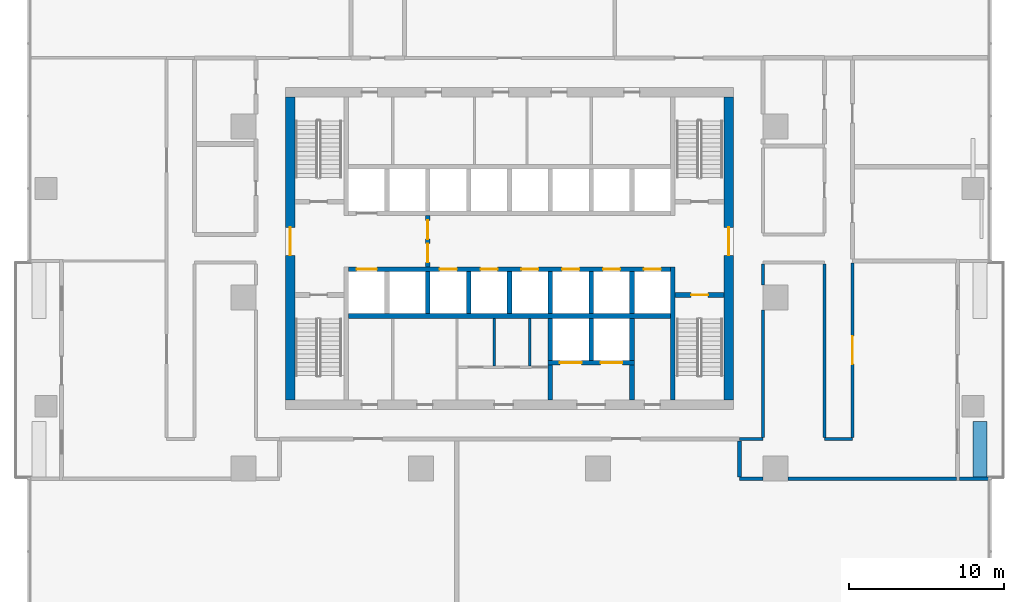
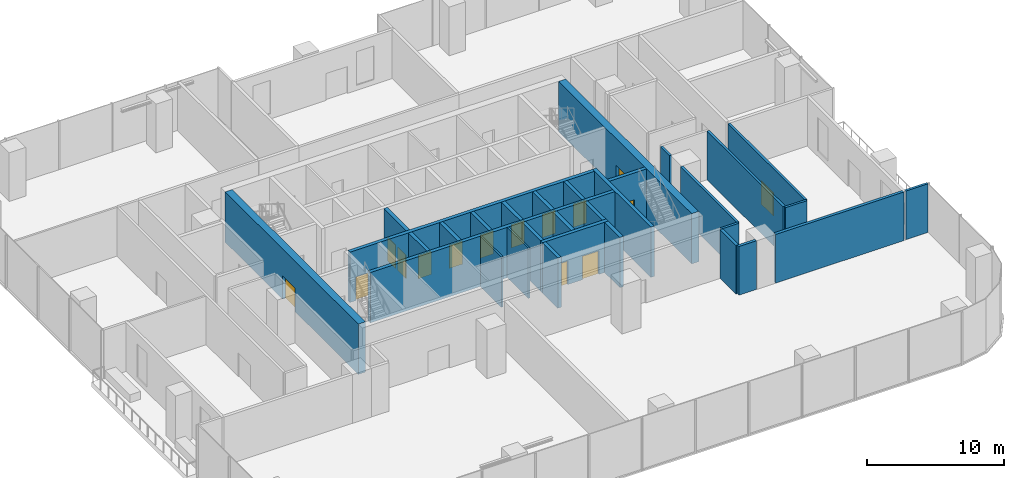
# One storey, part 8 of 14: 32 walls, 15 doors, 15 openings.
"""IFC4 building model written with IfcOpenShell, lengths in metres."""

from ifc_helpers import new_model, si_unit, direction, frame, frame_2d, origin, place, context, subcontext, project, spatial, rectangle, extrude, material, layer, layer_set, type_object, element, fill, save


model = new_model("IFC4")

# Units and contexts
model_context = context("Model", 3, precision=1e-05, world=origin(), true_north=direction((0.0, 1.0)))
body_context = subcontext(model_context, "Body", "Model", "MODEL_VIEW")
ifc_project = project(units=[si_unit("LENGTHUNIT", "METRE"), si_unit("AREAUNIT", "SQUARE_METRE"), si_unit("VOLUMEUNIT", "CUBIC_METRE"), si_unit("PLANEANGLEUNIT", "RADIAN"), si_unit("MASSUNIT", "GRAM", prefix="KILO")], contexts=[model_context])

# Site, building, storey
site_placement = place(None, origin())
site = spatial("IfcSite", under=ifc_project, at=site_placement, CompositionType="ELEMENT")
building_placement = place(site_placement, origin())
building = spatial("IfcBuilding", under=site, at=building_placement, Name="Mopane Tessera Tower", CompositionType="ELEMENT")
storey_placement = place(building_placement, frame((0.0, 0.0, 55.0)))
storey = spatial("IfcBuildingStorey", under=building, at=storey_placement, Name="L10", CompositionType="ELEMENT", Elevation=55.0)

# Walls
ifc_material_1 = material(Name="Fire-rated gypsum board partition")
ifc_layer_1 = layer(ifc_material_1, 0.14990234375)
ifc_layer_set_1 = layer_set([ifc_layer_1], Name="Fire-rated gypsum board partition")
wall_type_1 = type_object("IfcWallType", Name="Core room partition 150 mm", PredefinedType="PARTITIONING", material=ifc_layer_set_1)
for number, where, z_axis, x_axis, name in (
    (1, (-0.97509765625, -4.425048828125, 0.0), (0.0, 0.0, 1.0), (0.0, 1.0, 0.0), "L10 WC partition"),
    (2, (1.304931640625, -4.425048828125, 0.0), (0.0, 0.0, 1.0), (0.0, 1.0, 0.0), "L10 WC partition"),
):
    element("IfcWall", number, at=place(storey_placement, frame(where, z_axis=z_axis, x_axis=x_axis)), inside=storey, type_object=wall_type_1, Name=name, PredefinedType="PARTITIONING", context=body_context, shape_type="SweptSolid", body=[
        extrude(rectangle(XDim=3.074951171875, YDim=0.14990234375, at=frame_2d((1.53759765625, 0.0))), origin(), (0.0, 0.0, 1.0), 4.5),
    ])

# Wall, opening, door
ifc_material_2 = material(Name="Concrete C70/85", Category="concrete")
ifc_layer_2 = layer(ifc_material_2, 0.60009765625)
ifc_layer_set_2 = layer_set([ifc_layer_2], Name="Concrete C70/85")
wall_type_2 = type_object("IfcWallType", Name="Core shear wall 600 mm", PredefinedType="SHEAR", material=ifc_layer_set_2)
wall_1_placement = place(storey_placement, frame((-14.10009765625, -6.60009765625, 0.0), z_axis=(0.0, 0.0, 1.0), x_axis=(0.0, 1.0, 0.0)))
wall_1 = element("IfcWall", 3, at=wall_1_placement, inside=storey, type_object=wall_type_2, Name="L10 Core wall west", PredefinedType="SHEAR", context=body_context, shape_type="SweptSolid", body=[
    extrude(rectangle(XDim=19.5, YDim=0.60009765625, at=frame_2d((9.75, 0.0))), origin(), (0.0, 0.0, 1.0), 4.5),
])
opening_1_placement = place(wall_1_placement, frame((9.300048828125, 0.0, 0.0)))
opening_1 = element("IfcOpeningElement", 4, at=opening_1_placement, cuts=wall_1, Name="Opening SD2", PredefinedType="OPENING", context=body_context, shape_type="SweptSolid", body=[
    extrude(rectangle(XDim=1.800048828125, YDim=2.10009765625, at=frame_2d((0.89990234375, 1.050048828125))), frame((0.0, 0.31201171875, 0.0), z_axis=(0.0, -1.0, 0.0), x_axis=(1.0, 0.0, 0.0)), (0.0, 0.0, 1.0), 0.6240234375),
])
ifc_material_3 = material(Name="Steel fire door", Category="steel")
door_type_1 = type_object("IfcDoorType", Name="Core entrance double door 1800 x 2100", OperationType="DOUBLE_DOOR_SINGLE_SWING", PredefinedType="DOOR", material=ifc_material_3)
door_1_placement = place(opening_1_placement, origin())
door_1 = element("IfcDoor", 5, at=door_1_placement, inside=storey, type_object=door_type_1, Name="L10 Core entrance door west", OperationType="DOUBLE_DOOR_SINGLE_SWING", OverallHeight=2.10009765625, OverallWidth=1.800048828125, PredefinedType="DOOR", context=body_context, shape_type="SweptSolid", body=[
    extrude(rectangle(XDim=1.800048828125, YDim=2.10009765625, at=frame_2d((0.89990234375, 1.050048828125))), frame((0.0, 0.02490234375, 0.0), z_axis=(0.0, -1.0, 0.0), x_axis=(1.0, 0.0, 0.0)), (0.0, 0.0, 1.0), 0.050048828125),
])
fill(opening_1, door_1)

wall_2_placement = place(storey_placement, frame((14.10009765625, -6.60009765625, 0.0), z_axis=(0.0, 0.0, 1.0), x_axis=(0.0, 1.0, 0.0)))
wall_2 = element("IfcWall", 6, at=wall_2_placement, inside=storey, type_object=wall_type_2, Name="L10 Core wall east", PredefinedType="SHEAR", context=body_context, shape_type="SweptSolid", body=[
    extrude(rectangle(XDim=19.5, YDim=0.60009765625, at=frame_2d((9.75, 0.0))), origin(), (0.0, 0.0, 1.0), 4.5),
])
opening_2_placement = place(wall_2_placement, frame((9.300048828125, 0.0, 0.0)))
opening_2 = element("IfcOpeningElement", 7, at=opening_2_placement, cuts=wall_2, Name="Opening SD2", PredefinedType="OPENING", context=body_context, shape_type="SweptSolid", body=[
    extrude(rectangle(XDim=1.800048828125, YDim=2.10009765625, at=frame_2d((0.89990234375, 1.050048828125))), frame((0.0, 0.31201171875, 0.0), z_axis=(0.0, -1.0, 0.0), x_axis=(1.0, 0.0, 0.0)), (0.0, 0.0, 1.0), 0.6240234375),
])
door_2_placement = place(opening_2_placement, origin())
door_2 = element("IfcDoor", 8, at=door_2_placement, inside=storey, type_object=door_type_1, Name="L10 Core entrance door east", OperationType="DOUBLE_DOOR_SINGLE_SWING", OverallHeight=2.10009765625, OverallWidth=1.800048828125, PredefinedType="DOOR", context=body_context, shape_type="SweptSolid", body=[
    extrude(rectangle(XDim=1.800048828125, YDim=2.10009765625, at=frame_2d((0.89990234375, 1.050048828125))), frame((0.0, 0.02490234375, 0.0), z_axis=(0.0, -1.0, 0.0), x_axis=(1.0, 0.0, 0.0)), (0.0, 0.0, 1.0), 0.050048828125),
])
fill(opening_2, door_2)

# Walls
ifc_material_4 = material(Name="Concrete C60/75", Category="concrete")
ifc_layer_3 = layer(ifc_material_4, 0.300048828125)
ifc_layer_set_3 = layer_set([ifc_layer_3], Name="Concrete C60/75")
wall_type_3 = type_object("IfcWallType", Name="Core spine wall 300 mm", PredefinedType="SHEAR", material=ifc_layer_set_3)
wall_3_placement = place(storey_placement, frame((10.5, -6.60009765625, 0.0), z_axis=(0.0, 0.0, 1.0), x_axis=(0.0, 1.0, 0.0)))
element("IfcWall", 9, at=wall_3_placement, inside=storey, type_object=wall_type_3, Name="L10 Core spine wall", PredefinedType="SHEAR", context=body_context, shape_type="SweptSolid", body=[
    extrude(rectangle(XDim=8.550048828125, YDim=0.300048828125, at=frame_2d((4.27490234375, 0.0))), origin(), (0.0, 0.0, 1.0), 4.5),
])
ifc_material_5 = material(Name="Gypsum board on steel studs, two layers each face, mineral wool infill", Category="steel")
ifc_layer_4 = layer(ifc_material_5, 0.199951171875)
ifc_layer_set_4 = layer_set([ifc_layer_4], Name="Gypsum board on steel studs, two layers each face, mineral wool infill")
wall_type_4 = type_object("IfcWallType", Name="Gypsum board corridor wall 200, rated EI 60", PredefinedType="PARTITIONING", material=ifc_layer_set_4)
wall_4_placement = place(storey_placement, frame((14.800048828125, -9.10009765625, 0.0), z_axis=(0.0, 0.0, 1.0), x_axis=(1.0, 0.0, 0.0)))
element("IfcWall", 10, at=wall_4_placement, inside=storey, type_object=wall_type_4, Name="Partition L10:006", PredefinedType="PARTITIONING", context=body_context, shape_type="SweptSolid", body=[
    extrude(rectangle(XDim=1.5, YDim=0.199951171875, at=frame_2d((0.75, 0.0))), origin(), (0.0, 0.0, 1.0), 4.35009765625),
])
wall_5_placement = place(storey_placement, frame((20.25, -9.10009765625, 0.0), z_axis=(0.0, 0.0, 1.0), x_axis=(1.0, 0.0, 0.0)))
element("IfcWall", 11, at=wall_5_placement, inside=storey, type_object=wall_type_4, Name="Partition L10:007", PredefinedType="PARTITIONING", context=body_context, shape_type="SweptSolid", body=[
    extrude(rectangle(XDim=1.800048828125, YDim=0.199951171875, at=frame_2d((0.89990234375, 0.0))), origin(), (0.0, 0.0, 1.0), 4.35009765625),
])
wall_6_placement = place(storey_placement, frame((16.300048828125, -9.0, 0.0), z_axis=(0.0, 0.0, 1.0), x_axis=(0.0, 1.0, 0.0)))
element("IfcWall", 12, at=wall_6_placement, inside=storey, type_object=wall_type_4, Name="Partition L10:041", PredefinedType="PARTITIONING", context=body_context, shape_type="SweptSolid", body=[
    extrude(rectangle(XDim=8.199951171875, YDim=0.199951171875, at=frame_2d((4.10009765625, 0.0))), origin(), (0.0, 0.0, 1.0), 4.35009765625),
])
wall_7_placement = place(storey_placement, frame((16.300048828125, 0.800048828125, 0.0), z_axis=(0.0, 0.0, 1.0), x_axis=(0.0, 1.0, 0.0)))
element("IfcWall", 13, at=wall_7_placement, inside=storey, type_object=wall_type_4, Name="Partition L10:042", PredefinedType="PARTITIONING", context=body_context, shape_type="SweptSolid", body=[
    extrude(rectangle(XDim=1.349853515625, YDim=0.199951171875, at=frame_2d((0.6748046875, 0.0))), origin(), (0.0, 0.0, 1.0), 4.35009765625),
])
wall_8_placement = place(storey_placement, frame((20.25, -9.0, 0.0), z_axis=(0.0, 0.0, 1.0), x_axis=(0.0, 1.0, 0.0)))
element("IfcWall", 14, at=wall_8_placement, inside=storey, type_object=wall_type_4, Name="Partition L10:046", PredefinedType="PARTITIONING", context=body_context, shape_type="SweptSolid", body=[
    extrude(rectangle(XDim=11.14990234375, YDim=0.199951171875, at=frame_2d((5.574951171875, 0.0))), origin(), (0.0, 0.0, 1.0), 4.35009765625),
])

# Wall, opening, door
wall_9_placement = place(storey_placement, frame((22.050048828125, -9.0, 0.0), z_axis=(0.0, 0.0, 1.0), x_axis=(0.0, 1.0, 0.0)))
wall_9 = element("IfcWall", 15, at=wall_9_placement, inside=storey, type_object=wall_type_4, Name="Partition L10:049", PredefinedType="PARTITIONING", context=body_context, shape_type="SweptSolid", body=[
    extrude(rectangle(XDim=11.2099609375, YDim=0.199951171875, at=frame_2d((5.60498046875, 0.0))), origin(), (0.0, 0.0, 1.0), 4.35009765625),
])
opening_3_placement = place(wall_9_placement, frame((4.705078125, 0.0, 0.0)))
opening_3 = element("IfcOpeningElement", 16, at=opening_3_placement, cuts=wall_9, Name="Opening L10-15", PredefinedType="OPENING", context=body_context, shape_type="SweptSolid", body=[
    extrude(rectangle(XDim=1.800048828125, YDim=2.10009765625, at=frame_2d((0.89990234375, 1.050048828125))), frame((0.0, 0.112060546875, 0.0), z_axis=(0.0, -1.0, 0.0), x_axis=(1.0, 0.0, 0.0)), (0.0, 0.0, 1.0), 0.223876953125),
])
ifc_material_6 = material(Name="Timber veneered steel-framed fire door", Category="steel")
door_type_2 = type_object("IfcDoorType", Name="Fire door pair FD60 1800 x 2100", OperationType="DOUBLE_DOOR_SINGLE_SWING", PredefinedType="DOOR", material=ifc_material_6)
door_3_placement = place(opening_3_placement, origin())
door_3 = element("IfcDoor", 17, at=door_3_placement, inside=storey, type_object=door_type_2, Name="Door L10-15", ObjectType="D20A", OperationType="DOUBLE_DOOR_SINGLE_SWING", OverallHeight=2.10009765625, OverallWidth=1.800048828125, PredefinedType="DOOR", context=body_context, shape_type="SweptSolid", body=[
    extrude(rectangle(XDim=1.800048828125, YDim=2.10009765625, at=frame_2d((0.89990234375, 1.050048828125))), frame((0.0, 0.02490234375, 0.0), z_axis=(0.0, -1.0, 0.0), x_axis=(1.0, 0.0, 0.0)), (0.0, 0.0, 1.0), 0.050048828125),
])
fill(opening_3, door_3)

ifc_material_7 = material(Name="Concrete C50/60", Category="concrete")
ifc_layer_5 = layer(ifc_material_7, 0.300048828125)
ifc_layer_set_5 = layer_set([ifc_layer_5], Name="Concrete C50/60")
wall_type_5 = type_object("IfcWallType", Name="Lift and stair shaft wall 300 mm", PredefinedType="SOLIDWALL", material=ifc_layer_set_5)
wall_10_placement = place(storey_placement, frame((10.64990234375, 0.14990234375, 0.0), z_axis=(0.0, 0.0, 1.0), x_axis=(1.0, 0.0, 0.0)))
wall_10 = element("IfcWall", 18, at=wall_10_placement, inside=storey, type_object=wall_type_5, Name="L10 Stair enclosure wall", PredefinedType="SOLIDWALL", context=body_context, shape_type="SweptSolid", body=[
    extrude(rectangle(XDim=3.150146484375, YDim=0.300048828125, at=frame_2d((1.5751953125, 0.0))), origin(), (0.0, 0.0, 1.0), 4.5),
])
opening_4_placement = place(wall_10_placement, frame((1.02490234375, 0.0, 0.0)))
opening_4 = element("IfcOpeningElement", 19, at=opening_4_placement, cuts=wall_10, Name="Opening SD1", PredefinedType="OPENING", context=body_context, shape_type="SweptSolid", body=[
    extrude(rectangle(XDim=1.10009765625, YDim=2.10009765625, at=frame_2d((0.550048828125, 1.050048828125))), frame((0.0, 0.162109375, 0.0), z_axis=(0.0, -1.0, 0.0), x_axis=(1.0, 0.0, 0.0)), (0.0, 0.0, 1.0), 0.323974609375),
])
ifc_material_8 = material(Name="Steel fire door", Category="steel")
door_type_3 = type_object("IfcDoorType", Name="Stair fire door 1100 x 2100", OperationType="SINGLE_SWING_LEFT", PredefinedType="DOOR", material=ifc_material_8)
door_4_placement = place(opening_4_placement, origin())
door_4 = element("IfcDoor", 20, at=door_4_placement, inside=storey, type_object=door_type_3, Name="L10 Stair door ST3", OperationType="SINGLE_SWING_RIGHT", OverallHeight=2.10009765625, OverallWidth=1.10009765625, PredefinedType="DOOR", context=body_context, shape_type="SweptSolid", body=[
    extrude(rectangle(XDim=1.10009765625, YDim=2.10009765625, at=frame_2d((0.550048828125, 1.050048828125))), frame((0.0, 0.02490234375, 0.0), z_axis=(0.0, -1.0, 0.0), x_axis=(1.0, 0.0, 0.0)), (0.0, 0.0, 1.0), 0.050048828125),
])
fill(opening_4, door_4)

# Wall
wall_11_placement = place(storey_placement, frame((-10.35009765625, -1.199951171875, 0.0), z_axis=(0.0, 0.0, 1.0), x_axis=(1.0, 0.0, 0.0)))
element("IfcWall", 21, at=wall_11_placement, inside=storey, type_object=wall_type_5, Name="L10 Lift shaft rear wall", PredefinedType="SOLIDWALL", context=body_context, shape_type="SweptSolid", body=[
    extrude(rectangle(XDim=20.7001953125, YDim=0.300048828125, at=frame_2d((10.35009765625, 0.0))), origin(), (0.0, 0.0, 1.0), 4.5),
])

# Wall, openings, doors
wall_12_placement = place(storey_placement, frame((-10.35009765625, 1.800048828125, 0.0), z_axis=(0.0, 0.0, 1.0), x_axis=(1.0, 0.0, 0.0)))
wall_12 = element("IfcWall", 22, at=wall_12_placement, inside=storey, type_object=wall_type_5, Name="L10 Lift shaft front wall", PredefinedType="SOLIDWALL", context=body_context, shape_type="SweptSolid", body=[
    extrude(rectangle(XDim=20.7001953125, YDim=0.300048828125, at=frame_2d((10.35009765625, 0.0))), origin(), (0.0, 0.0, 1.0), 4.5),
])
opening_5_placement = place(wall_12_placement, frame((0.512451171875, 0.0, 0.0)))
opening_5 = element("IfcOpeningElement", 23, at=opening_5_placement, cuts=wall_12, Name="Opening LD2", PredefinedType="OPENING", context=body_context, shape_type="SweptSolid", body=[
    extrude(rectangle(XDim=1.300048828125, YDim=2.10009765625, at=frame_2d((0.64990234375, 1.050048828125))), frame((0.0, 0.162109375, 0.0), z_axis=(0.0, -1.0, 0.0), x_axis=(1.0, 0.0, 0.0)), (0.0, 0.0, 1.0), 0.323974609375),
])
opening_6_placement = place(wall_12_placement, frame((5.862548828125, 0.0, 0.0)))
opening_6 = element("IfcOpeningElement", 24, at=opening_6_placement, cuts=wall_12, Name="Opening LD", PredefinedType="OPENING", context=body_context, shape_type="SweptSolid", body=[
    extrude(rectangle(XDim=1.10009765625, YDim=2.10009765625, at=frame_2d((0.550048828125, 1.050048828125))), frame((0.0, 0.162109375, 0.0), z_axis=(0.0, -1.0, 0.0), x_axis=(1.0, 0.0, 0.0)), (0.0, 0.0, 1.0), 0.323974609375),
])
opening_7_placement = place(wall_12_placement, frame((8.487548828125, 0.0, 0.0)))
opening_7 = element("IfcOpeningElement", 25, at=opening_7_placement, cuts=wall_12, Name="Opening LD", PredefinedType="OPENING", context=body_context, shape_type="SweptSolid", body=[
    extrude(rectangle(XDim=1.10009765625, YDim=2.10009765625, at=frame_2d((0.550048828125, 1.050048828125))), frame((0.0, 0.162109375, 0.0), z_axis=(0.0, -1.0, 0.0), x_axis=(1.0, 0.0, 0.0)), (0.0, 0.0, 1.0), 0.323974609375),
])
opening_8_placement = place(wall_12_placement, frame((11.112548828125, 0.0, 0.0)))
opening_8 = element("IfcOpeningElement", 26, at=opening_8_placement, cuts=wall_12, Name="Opening LD", PredefinedType="OPENING", context=body_context, shape_type="SweptSolid", body=[
    extrude(rectangle(XDim=1.10009765625, YDim=2.10009765625, at=frame_2d((0.550048828125, 1.050048828125))), frame((0.0, 0.162109375, 0.0), z_axis=(0.0, -1.0, 0.0), x_axis=(1.0, 0.0, 0.0)), (0.0, 0.0, 1.0), 0.323974609375),
])
opening_9_placement = place(wall_12_placement, frame((13.737548828125, 0.0, 0.0)))
opening_9 = element("IfcOpeningElement", 27, at=opening_9_placement, cuts=wall_12, Name="Opening LD", PredefinedType="OPENING", context=body_context, shape_type="SweptSolid", body=[
    extrude(rectangle(XDim=1.10009765625, YDim=2.10009765625, at=frame_2d((0.550048828125, 1.050048828125))), frame((0.0, 0.162109375, 0.0), z_axis=(0.0, -1.0, 0.0), x_axis=(1.0, 0.0, 0.0)), (0.0, 0.0, 1.0), 0.323974609375),
])
opening_10_placement = place(wall_12_placement, frame((16.362548828125, 0.0, 0.0)))
opening_10 = element("IfcOpeningElement", 28, at=opening_10_placement, cuts=wall_12, Name="Opening LD", PredefinedType="OPENING", context=body_context, shape_type="SweptSolid", body=[
    extrude(rectangle(XDim=1.10009765625, YDim=2.10009765625, at=frame_2d((0.550048828125, 1.050048828125))), frame((0.0, 0.162109375, 0.0), z_axis=(0.0, -1.0, 0.0), x_axis=(1.0, 0.0, 0.0)), (0.0, 0.0, 1.0), 0.323974609375),
])
opening_11_placement = place(wall_12_placement, frame((18.987548828125, 0.0, 0.0)))
opening_11 = element("IfcOpeningElement", 29, at=opening_11_placement, cuts=wall_12, Name="Opening LD", PredefinedType="OPENING", context=body_context, shape_type="SweptSolid", body=[
    extrude(rectangle(XDim=1.10009765625, YDim=2.10009765625, at=frame_2d((0.550048828125, 1.050048828125))), frame((0.0, 0.162109375, 0.0), z_axis=(0.0, -1.0, 0.0), x_axis=(1.0, 0.0, 0.0)), (0.0, 0.0, 1.0), 0.323974609375),
])
ifc_material_9 = material(Name="Stainless steel sliding door", Category="steel")
door_type_4 = type_object("IfcDoorType", Name="Fire-fighting lift landing door 1300 x 2100", OperationType="DOUBLE_DOOR_SLIDING", PredefinedType="DOOR", material=ifc_material_9)
door_5_placement = place(opening_5_placement, origin())
door_5 = element("IfcDoor", 30, at=door_5_placement, inside=storey, type_object=door_type_4, Name="L10 Lift landing door FF1", OperationType="DOUBLE_DOOR_SLIDING", OverallHeight=2.10009765625, OverallWidth=1.300048828125, PredefinedType="DOOR", context=body_context, shape_type="SweptSolid", body=[
    extrude(rectangle(XDim=1.300048828125, YDim=2.10009765625, at=frame_2d((0.64990234375, 1.050048828125))), frame((0.0, 0.02490234375, 0.0), z_axis=(0.0, -1.0, 0.0), x_axis=(1.0, 0.0, 0.0)), (0.0, 0.0, 1.0), 0.050048828125),
])
fill(opening_5, door_5)
ifc_material_10 = material(Name="Stainless steel sliding door", Category="steel")
door_type_5 = type_object("IfcDoorType", Name="Lift landing door 1100 x 2100", OperationType="DOUBLE_DOOR_SLIDING", PredefinedType="DOOR", material=ifc_material_10)
door_6_placement = place(opening_6_placement, origin())
door_6 = element("IfcDoor", 31, at=door_6_placement, inside=storey, type_object=door_type_5, Name="L10 Lift landing door LR1", OperationType="DOUBLE_DOOR_SLIDING", OverallHeight=2.10009765625, OverallWidth=1.10009765625, PredefinedType="DOOR", context=body_context, shape_type="SweptSolid", body=[
    extrude(rectangle(XDim=1.10009765625, YDim=2.10009765625, at=frame_2d((0.550048828125, 1.050048828125))), frame((0.0, 0.02490234375, 0.0), z_axis=(0.0, -1.0, 0.0), x_axis=(1.0, 0.0, 0.0)), (0.0, 0.0, 1.0), 0.050048828125),
])
fill(opening_6, door_6)
door_7_placement = place(opening_7_placement, origin())
door_7 = element("IfcDoor", 32, at=door_7_placement, inside=storey, type_object=door_type_5, Name="L10 Lift landing door LR2", OperationType="DOUBLE_DOOR_SLIDING", OverallHeight=2.10009765625, OverallWidth=1.10009765625, PredefinedType="DOOR", context=body_context, shape_type="SweptSolid", body=[
    extrude(rectangle(XDim=1.10009765625, YDim=2.10009765625, at=frame_2d((0.550048828125, 1.050048828125))), frame((0.0, 0.02490234375, 0.0), z_axis=(0.0, -1.0, 0.0), x_axis=(1.0, 0.0, 0.0)), (0.0, 0.0, 1.0), 0.050048828125),
])
fill(opening_7, door_7)
door_8_placement = place(opening_8_placement, origin())
door_8 = element("IfcDoor", 33, at=door_8_placement, inside=storey, type_object=door_type_5, Name="L10 Lift landing door LR3", OperationType="DOUBLE_DOOR_SLIDING", OverallHeight=2.10009765625, OverallWidth=1.10009765625, PredefinedType="DOOR", context=body_context, shape_type="SweptSolid", body=[
    extrude(rectangle(XDim=1.10009765625, YDim=2.10009765625, at=frame_2d((0.550048828125, 1.050048828125))), frame((0.0, 0.02490234375, 0.0), z_axis=(0.0, -1.0, 0.0), x_axis=(1.0, 0.0, 0.0)), (0.0, 0.0, 1.0), 0.050048828125),
])
fill(opening_8, door_8)
door_9_placement = place(opening_9_placement, origin())
door_9 = element("IfcDoor", 34, at=door_9_placement, inside=storey, type_object=door_type_5, Name="L10 Lift landing door LR4", OperationType="DOUBLE_DOOR_SLIDING", OverallHeight=2.10009765625, OverallWidth=1.10009765625, PredefinedType="DOOR", context=body_context, shape_type="SweptSolid", body=[
    extrude(rectangle(XDim=1.10009765625, YDim=2.10009765625, at=frame_2d((0.550048828125, 1.050048828125))), frame((0.0, 0.02490234375, 0.0), z_axis=(0.0, -1.0, 0.0), x_axis=(1.0, 0.0, 0.0)), (0.0, 0.0, 1.0), 0.050048828125),
])
fill(opening_9, door_9)
door_10_placement = place(opening_10_placement, origin())
door_10 = element("IfcDoor", 35, at=door_10_placement, inside=storey, type_object=door_type_5, Name="L10 Lift landing door LR5", OperationType="DOUBLE_DOOR_SLIDING", OverallHeight=2.10009765625, OverallWidth=1.10009765625, PredefinedType="DOOR", context=body_context, shape_type="SweptSolid", body=[
    extrude(rectangle(XDim=1.10009765625, YDim=2.10009765625, at=frame_2d((0.550048828125, 1.050048828125))), frame((0.0, 0.02490234375, 0.0), z_axis=(0.0, -1.0, 0.0), x_axis=(1.0, 0.0, 0.0)), (0.0, 0.0, 1.0), 0.050048828125),
])
fill(opening_10, door_10)
door_11_placement = place(opening_11_placement, origin())
door_11 = element("IfcDoor", 36, at=door_11_placement, inside=storey, type_object=door_type_5, Name="L10 Lift landing door LR6", OperationType="DOUBLE_DOOR_SLIDING", OverallHeight=2.10009765625, OverallWidth=1.10009765625, PredefinedType="DOOR", context=body_context, shape_type="SweptSolid", body=[
    extrude(rectangle(XDim=1.10009765625, YDim=2.10009765625, at=frame_2d((0.550048828125, 1.050048828125))), frame((0.0, 0.02490234375, 0.0), z_axis=(0.0, -1.0, 0.0), x_axis=(1.0, 0.0, 0.0)), (0.0, 0.0, 1.0), 0.050048828125),
])
fill(opening_11, door_11)

# Walls
for number, where, z_axis, x_axis, name in (
    (37, (-5.25, -1.050048828125, 0.0), (0.0, 0.0, 1.0), (0.0, 1.0, 0.0), "L10 Lift shaft wall"),
    (38, (-2.625, -1.050048828125, 0.0), (0.0, 0.0, 1.0), (0.0, 1.0, 0.0), "L10 Lift shaft wall"),
    (39, (0.0, -1.050048828125, 0.0), (0.0, 0.0, 1.0), (0.0, 1.0, 0.0), "L10 Lift shaft wall"),
    (40, (2.625, -1.050048828125, 0.0), (0.0, 0.0, 1.0), (0.0, 1.0, 0.0), "L10 Lift shaft wall"),
    (41, (5.25, -1.050048828125, 0.0), (0.0, 0.0, 1.0), (0.0, 1.0, 0.0), "L10 Lift shaft wall"),
    (42, (7.875, -1.050048828125, 0.0), (0.0, 0.0, 1.0), (0.0, 1.0, 0.0), "L10 Lift shaft wall"),
):
    element("IfcWall", number, at=place(storey_placement, frame(where, z_axis=z_axis, x_axis=x_axis)), inside=storey, type_object=wall_type_5, Name=name, PredefinedType="SOLIDWALL", context=body_context, shape_type="SweptSolid", body=[
        extrude(rectangle(XDim=2.699951171875, YDim=0.300048828125, at=frame_2d((1.35009765625, 0.0))), origin(), (0.0, 0.0, 1.0), 4.5),
    ])

# Wall, openings, doors
wall_13_placement = place(storey_placement, frame((2.47509765625, -4.199951171875, 0.0), z_axis=(0.0, 0.0, 1.0), x_axis=(1.0, 0.0, 0.0)))
wall_13 = element("IfcWall", 43, at=wall_13_placement, inside=storey, type_object=wall_type_5, Name="L10 Lift shaft front wall", PredefinedType="SOLIDWALL", context=body_context, shape_type="SweptSolid", body=[
    extrude(rectangle(XDim=5.5498046875, YDim=0.300048828125, at=frame_2d((2.77490234375, 0.0))), origin(), (0.0, 0.0, 1.0), 4.5),
])
opening_12_placement = place(wall_13_placement, frame((0.762451171875, 0.0, 0.0)))
opening_12 = element("IfcOpeningElement", 44, at=opening_12_placement, cuts=wall_13, Name="Opening LD3", PredefinedType="OPENING", context=body_context, shape_type="SweptSolid", body=[
    extrude(rectangle(XDim=1.39990234375, YDim=2.10009765625, at=frame_2d((0.699951171875, 1.050048828125))), frame((0.0, 0.162109375, 0.0), z_axis=(0.0, -1.0, 0.0), x_axis=(1.0, 0.0, 0.0)), (0.0, 0.0, 1.0), 0.323974609375),
])
opening_13_placement = place(wall_13_placement, frame((3.387451171875, 0.0, 0.0)))
opening_13 = element("IfcOpeningElement", 45, at=opening_13_placement, cuts=wall_13, Name="Opening LD3", PredefinedType="OPENING", context=body_context, shape_type="SweptSolid", body=[
    extrude(rectangle(XDim=1.39990234375, YDim=2.10009765625, at=frame_2d((0.699951171875, 1.050048828125))), frame((0.0, 0.162109375, 0.0), z_axis=(0.0, -1.0, 0.0), x_axis=(1.0, 0.0, 0.0)), (0.0, 0.0, 1.0), 0.323974609375),
])
ifc_material_11 = material(Name="Stainless steel sliding door", Category="steel")
door_type_6 = type_object("IfcDoorType", Name="Service lift landing door 1400 x 2100", OperationType="DOUBLE_DOOR_SLIDING", PredefinedType="DOOR", material=ifc_material_11)
door_12_placement = place(opening_12_placement, origin())
door_12 = element("IfcDoor", 46, at=door_12_placement, inside=storey, type_object=door_type_6, Name="L10 Lift landing door SV1", OperationType="DOUBLE_DOOR_SLIDING", OverallHeight=2.10009765625, OverallWidth=1.39990234375, PredefinedType="DOOR", context=body_context, shape_type="SweptSolid", body=[
    extrude(rectangle(XDim=1.39990234375, YDim=2.10009765625, at=frame_2d((0.699951171875, 1.050048828125))), frame((0.0, 0.02490234375, 0.0), z_axis=(0.0, -1.0, 0.0), x_axis=(1.0, 0.0, 0.0)), (0.0, 0.0, 1.0), 0.050048828125),
])
fill(opening_12, door_12)
door_13_placement = place(opening_13_placement, origin())
door_13 = element("IfcDoor", 47, at=door_13_placement, inside=storey, type_object=door_type_6, Name="L10 Lift landing door SV2", OperationType="DOUBLE_DOOR_SLIDING", OverallHeight=2.10009765625, OverallWidth=1.39990234375, PredefinedType="DOOR", context=body_context, shape_type="SweptSolid", body=[
    extrude(rectangle(XDim=1.39990234375, YDim=2.10009765625, at=frame_2d((0.699951171875, 1.050048828125))), frame((0.0, 0.02490234375, 0.0), z_axis=(0.0, -1.0, 0.0), x_axis=(1.0, 0.0, 0.0)), (0.0, 0.0, 1.0), 0.050048828125),
])
fill(opening_13, door_13)

# Walls
for number, where, z_axis, x_axis, name in (
    (48, (2.625, -4.050048828125, 0.0), (0.0, 0.0, 1.0), (0.0, 1.0, 0.0), "L10 Lift shaft wall"),
    (49, (5.25, -4.050048828125, 0.0), (0.0, 0.0, 1.0), (0.0, 1.0, 0.0), "L10 Lift shaft wall"),
    (50, (7.875, -4.050048828125, 0.0), (0.0, 0.0, 1.0), (0.0, 1.0, 0.0), "L10 Lift shaft wall"),
):
    element("IfcWall", number, at=place(storey_placement, frame(where, z_axis=z_axis, x_axis=x_axis)), inside=storey, type_object=wall_type_5, Name=name, PredefinedType="SOLIDWALL", context=body_context, shape_type="SweptSolid", body=[
        extrude(rectangle(XDim=2.699951171875, YDim=0.300048828125, at=frame_2d((1.35009765625, 0.0))), origin(), (0.0, 0.0, 1.0), 4.5),
    ])

# Wall, openings, doors
ifc_material_12 = material(Name="Concrete C50/60", Category="concrete")
ifc_layer_6 = layer(ifc_material_12, 0.300048828125)
ifc_layer_set_6 = layer_set([ifc_layer_6], Name="Concrete C50/60")
wall_type_6 = type_object("IfcWallType", Name="Lobby and refuge room wall 300 mm", PredefinedType="SOLIDWALL", material=ifc_layer_set_6)
wall_14_placement = place(storey_placement, frame((-5.25, 1.949951171875, 0.0), z_axis=(0.0, 0.0, 1.0), x_axis=(0.0, 1.0, 0.0)))
wall_14 = element("IfcWall", 51, at=wall_14_placement, inside=storey, type_object=wall_type_6, Name="L10 Fire-fighting lobby wall", PredefinedType="SOLIDWALL", context=body_context, shape_type="SweptSolid", body=[
    extrude(rectangle(XDim=3.300048828125, YDim=0.300048828125, at=frame_2d((1.64990234375, 0.0))), origin(), (0.0, 0.0, 1.0), 4.5),
])
opening_14_placement = place(wall_14_placement, frame((0.300048828125, 0.0, 0.0)))
opening_14 = element("IfcOpeningElement", 52, at=opening_14_placement, cuts=wall_14, Name="Opening SD3", PredefinedType="OPENING", context=body_context, shape_type="SweptSolid", body=[
    extrude(rectangle(XDim=1.199951171875, YDim=2.10009765625, at=frame_2d((0.60009765625, 1.050048828125))), frame((0.0, 0.162109375, 0.0), z_axis=(0.0, -1.0, 0.0), x_axis=(1.0, 0.0, 0.0)), (0.0, 0.0, 1.0), 0.323974609375),
])
opening_15_placement = place(wall_14_placement, frame((1.800048828125, 0.0, 0.0)))
opening_15 = element("IfcOpeningElement", 53, at=opening_15_placement, cuts=wall_14, Name="Opening SD3", PredefinedType="OPENING", context=body_context, shape_type="SweptSolid", body=[
    extrude(rectangle(XDim=1.199951171875, YDim=2.10009765625, at=frame_2d((0.60009765625, 1.050048828125))), frame((0.0, 0.162109375, 0.0), z_axis=(0.0, -1.0, 0.0), x_axis=(1.0, 0.0, 0.0)), (0.0, 0.0, 1.0), 0.323974609375),
])
ifc_material_13 = material(Name="Steel fire door", Category="steel")
door_type_7 = type_object("IfcDoorType", Name="Lobby fire door 1200 x 2100", OperationType="SINGLE_SWING_LEFT", PredefinedType="DOOR", material=ifc_material_13)
door_14_placement = place(opening_14_placement, origin())
door_14 = element("IfcDoor", 54, at=door_14_placement, inside=storey, type_object=door_type_7, Name="L10 Fire-fighting lobby door", OperationType="SINGLE_SWING_LEFT", OverallHeight=2.10009765625, OverallWidth=1.199951171875, PredefinedType="DOOR", context=body_context, shape_type="SweptSolid", body=[
    extrude(rectangle(XDim=1.199951171875, YDim=2.10009765625, at=frame_2d((0.60009765625, 1.050048828125))), frame((0.0, 0.02490234375, 0.0), z_axis=(0.0, -1.0, 0.0), x_axis=(1.0, 0.0, 0.0)), (0.0, 0.0, 1.0), 0.050048828125),
])
fill(opening_14, door_14)
door_15_placement = place(opening_15_placement, origin())
door_15 = element("IfcDoor", 55, at=door_15_placement, inside=storey, type_object=door_type_7, Name="L10 Fire-fighting lobby door", OperationType="SINGLE_SWING_RIGHT", OverallHeight=2.10009765625, OverallWidth=1.199951171875, PredefinedType="DOOR", context=body_context, shape_type="SweptSolid", body=[
    extrude(rectangle(XDim=1.199951171875, YDim=2.10009765625, at=frame_2d((0.60009765625, 1.050048828125))), frame((0.0, 0.02490234375, 0.0), z_axis=(0.0, -1.0, 0.0), x_axis=(1.0, 0.0, 0.0)), (0.0, 0.0, 1.0), 0.050048828125),
])
fill(opening_15, door_15)

# Walls
for number, where, z_axis, x_axis, name in (
    (56, (2.625, -6.60009765625, 0.0), (0.0, 0.0, 1.0), (0.0, 1.0, 0.0), "L10 Service lobby wall"),
    (57, (7.875, -6.60009765625, 0.0), (0.0, 0.0, 1.0), (0.0, 1.0, 0.0), "L10 Service lobby wall"),
):
    element("IfcWall", number, at=place(storey_placement, frame(where, z_axis=z_axis, x_axis=x_axis)), inside=storey, type_object=wall_type_6, Name=name, PredefinedType="SOLIDWALL", context=body_context, shape_type="SweptSolid", body=[
        extrude(rectangle(XDim=2.25, YDim=0.300048828125, at=frame_2d((1.125, 0.0))), origin(), (0.0, 0.0, 1.0), 4.5),
    ])
ifc_material_14 = material(Name="Reinforced concrete C32/40 with waterproofing", Category="concrete")
ifc_layer_7 = layer(ifc_material_14, 0.89990234375)
ifc_layer_set_7 = layer_set([ifc_layer_7], Name="Reinforced concrete C32/40 with waterproofing")
wall_type_7 = type_object("IfcWallType", Name="Planter trough 3600 x 900", PredefinedType="STANDARD", material=ifc_layer_set_7)
wall_15_placement = place(storey_placement, frame((30.25, -11.566650390625, 0.0), z_axis=(0.0, 0.0, 1.0), x_axis=(0.0, 1.0, 0.0)))
element("IfcWall", 58, at=wall_15_placement, inside=storey, type_object=wall_type_7, Name="e:nw:L10:N1:pl0", PredefinedType="STANDARD", context=body_context, shape_type="SweptSolid", body=[
    extrude(rectangle(XDim=3.60009765625, YDim=0.89990234375, at=frame_2d((1.800048828125, 0.0))), origin(), (0.0, 0.0, 1.0), 0.699951171875),
])
ifc_material_15 = material(Name="Plastered concrete blockwork C20/25", Category="masonry")
ifc_layer_8 = layer(ifc_material_15, 0.25)
ifc_layer_set_8 = layer_set([ifc_layer_8], Name="Plastered concrete blockwork C20/25")
wall_type_8 = type_object("IfcWallType", Name="Plastered blockwork wall 250, rated EI 120", PredefinedType="PARTITIONING", material=ifc_layer_set_8)
wall_16_placement = place(storey_placement, frame((14.800048828125, -11.6650390625, 0.0), z_axis=(0.0, 0.0, 1.0), x_axis=(1.0, 0.0, 0.0)))
element("IfcWall", 59, at=wall_16_placement, inside=storey, type_object=wall_type_8, Name="Partition L10:002", PredefinedType="PARTITIONING", context=body_context, shape_type="SweptSolid", body=[
    extrude(rectangle(XDim=1.5, YDim=0.25, at=frame_2d((0.75, 0.0))), origin(), (0.0, 0.0, 1.0), 4.35009765625),
])
wall_17_placement = place(storey_placement, frame((17.89990234375, -11.6650390625, 0.0), z_axis=(0.0, 0.0, 1.0), x_axis=(1.0, 0.0, 0.0)))
element("IfcWall", 60, at=wall_17_placement, inside=storey, type_object=wall_type_8, Name="Partition L10:003", PredefinedType="PARTITIONING", context=body_context, shape_type="SweptSolid", body=[
    extrude(rectangle(XDim=10.85009765625, YDim=0.25, at=frame_2d((5.425048828125, 0.0))), origin(), (0.0, 0.0, 1.0), 4.35009765625),
])
wall_18_placement = place(storey_placement, frame((14.800048828125, -11.5400390625, 0.0), z_axis=(0.0, 0.0, 1.0), x_axis=(0.0, 1.0, 0.0)))
element("IfcWall", 61, at=wall_18_placement, inside=storey, type_object=wall_type_8, Name="Partition L10:040", PredefinedType="PARTITIONING", context=body_context, shape_type="SweptSolid", body=[
    extrude(rectangle(XDim=2.31494140625, YDim=0.25, at=frame_2d((1.157470703125, 0.0))), origin(), (0.0, 0.0, 1.0), 4.35009765625),
])
ifc_material_16 = material(Name="Blockwork with glazed tile facing", Category="masonry")
ifc_layer_9 = layer(ifc_material_16, 0.199951171875)
ifc_layer_set_9 = layer_set([ifc_layer_9], Name="Blockwork with glazed tile facing")
wall_type_9 = type_object("IfcWallType", Name="Terrace cheek wall 200", PredefinedType="STANDARD", material=ifc_layer_set_9)
wall_19_placement = place(storey_placement, frame((30.800048828125, -11.666748046875, 0.0), z_axis=(0.0, 0.0, 1.0), x_axis=(-1.0, 0.0, 0.0)))
element("IfcWall", 62, at=wall_19_placement, inside=storey, type_object=wall_type_9, Name="e:nw:L10:N1:cheeka", PredefinedType="STANDARD", context=body_context, shape_type="SweptSolid", body=[
    extrude(rectangle(XDim=1.875, YDim=0.199951171875, at=frame_2d((0.9375, 0.0))), origin(), (0.0, 0.0, 1.0), 4.35009765625),
])

save(model, "model.ifc")
